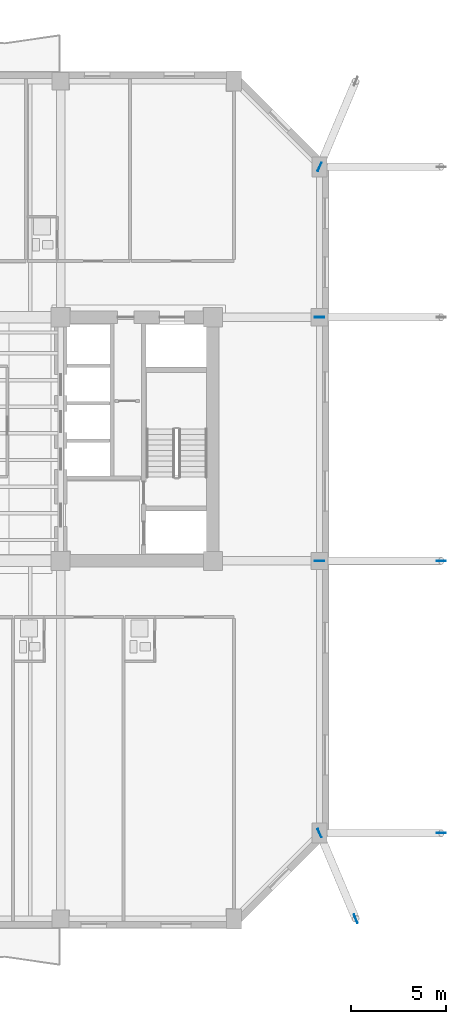
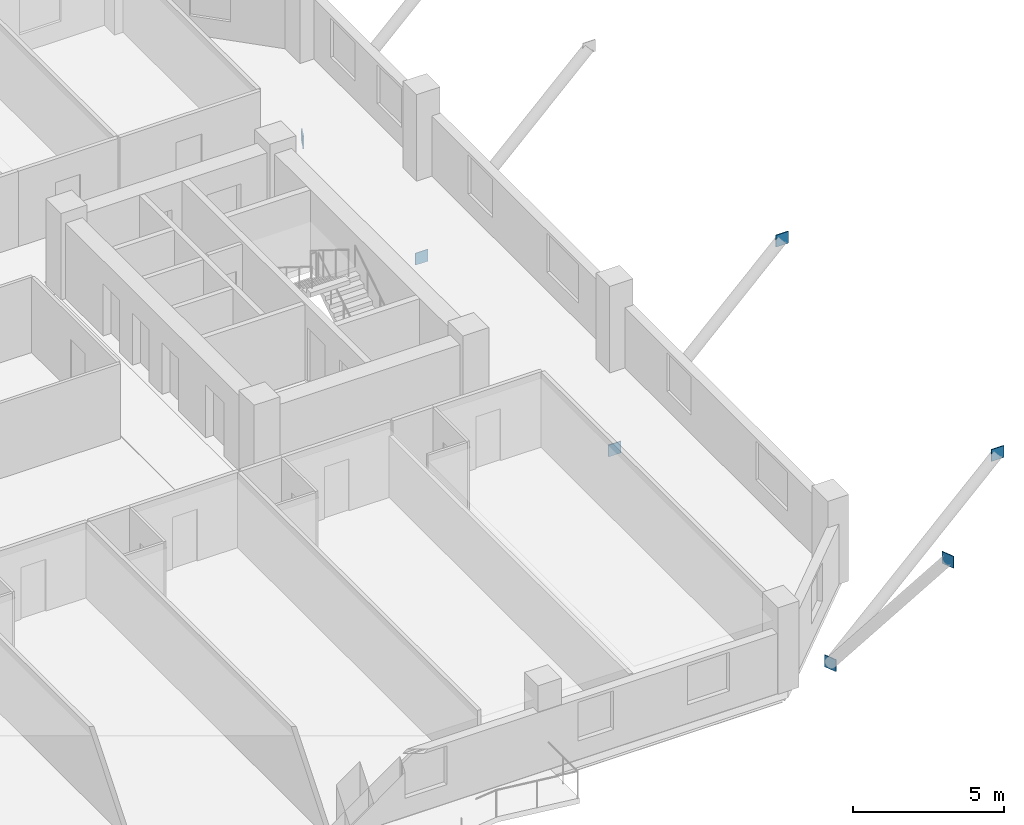
# One storey, part 3 of 14: 7 plates.
"""IFC4 building model written with IfcOpenShell, lengths in metres."""

from ifc_helpers import new_model, si_unit, direction, frame, origin, origin_2d, place, context, subcontext, project, spatial, rectangle, extrude, material, layer, layer_set, type_object, element, save


model = new_model("IFC4")

# Units and contexts
model_context = context("Model", 3, precision=1e-05, world=origin(), true_north=direction((0.0, 1.0)))
body_context = subcontext(model_context, "Body", "Model", "MODEL_VIEW")
ifc_project = project(units=[si_unit("LENGTHUNIT", "METRE"), si_unit("AREAUNIT", "SQUARE_METRE"), si_unit("VOLUMEUNIT", "CUBIC_METRE"), si_unit("PLANEANGLEUNIT", "RADIAN"), si_unit("MASSUNIT", "GRAM", prefix="KILO")], contexts=[model_context])

# Site, building, storey
site_placement = place(None, origin())
site = spatial("IfcSite", under=ifc_project, at=site_placement, CompositionType="ELEMENT")
building_placement = place(site_placement, origin())
building = spatial("IfcBuilding", under=site, at=building_placement, Name="Kranthara Brick Stack", CompositionType="ELEMENT")
storey_placement = place(building_placement, frame((0.0, 0.0, 137.800048828125)))
storey = spatial("IfcBuildingStorey", under=building, at=storey_placement, Name="L34", CompositionType="ELEMENT", Elevation=137.800048828125)

# Plates
ifc_material = material(Name="Steel S355", Category="steel")
ifc_layer = layer(ifc_material, 0.030029296875)
ifc_layer_set = layer_set([ifc_layer], Name="Steel S355")
plate_type = type_object("IfcPlateType", Name="PLT-GUSSET-30", PredefinedType="USERDEFINED", material=ifc_layer_set)
for number, where, z_axis, x_axis, name in (
    (1, (48.800048828125, 6.5, -3.739990234375), (0.0, 0.0, 1.0), (-0.38912395014, 0.921185405566, 0.0), "L34 Brace and Strut End Connection Gusset Plate 057"),
    (2, (50.699951171875, 2.0, 2.510009765625), (0.0, 0.0, 1.0), (-0.38912395014, 0.921185405566, 0.0), "L34 Brace and Strut End Connection Gusset Plate 058"),
    (3, (48.800048828125, 41.5, -3.739990234375), (0.0, 0.0, 1.0), (0.38912395014, 0.921185405566, 0.0), "L34 Brace and Strut End Connection Gusset Plate 059"),
    (4, (55.199951171875, 6.5, 2.510009765625), (0.0, 0.0, 1.0), (1.0, 0.0, 0.0), "L34 Brace and Strut End Connection Gusset Plate 061"),
    (5, (48.800048828125, 20.800048828125, -3.739990234375), (0.0, 0.0, 1.0), (1.0, 0.0, 0.0), "L34 Brace and Strut End Connection Gusset Plate 062"),
    (6, (55.199951171875, 20.800048828125, 2.510009765625), (0.0, 0.0, 1.0), (1.0, 0.0, 0.0), "L34 Brace and Strut End Connection Gusset Plate 063"),
    (7, (48.800048828125, 33.60009765625, -3.739990234375), (0.0, 0.0, 1.0), (1.0, 0.0, 0.0), "L34 Brace and Strut End Connection Gusset Plate 064"),
):
    element("IfcPlate", number, at=place(storey_placement, frame(where, z_axis=z_axis, x_axis=x_axis)), inside=storey, type_object=plate_type, Name=name, ObjectType="GUSSET PLATE", PredefinedType="USERDEFINED", context=body_context, shape_type="SweptSolid", body=[
        extrude(rectangle(XDim=0.47998046875, YDim=0.030029296875, at=origin_2d()), origin(), (0.0, 0.0, 1.0), 0.47998046875),
    ])

save(model, "model.ifc")
